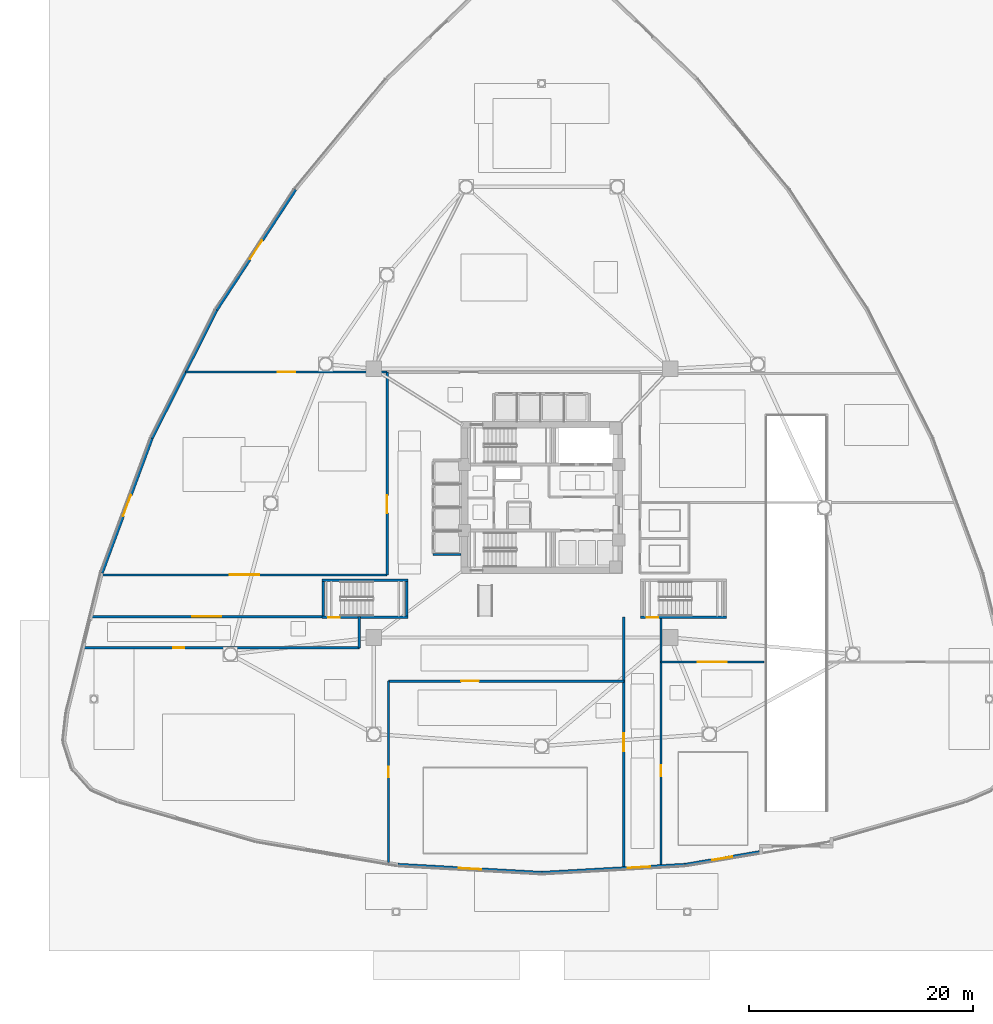
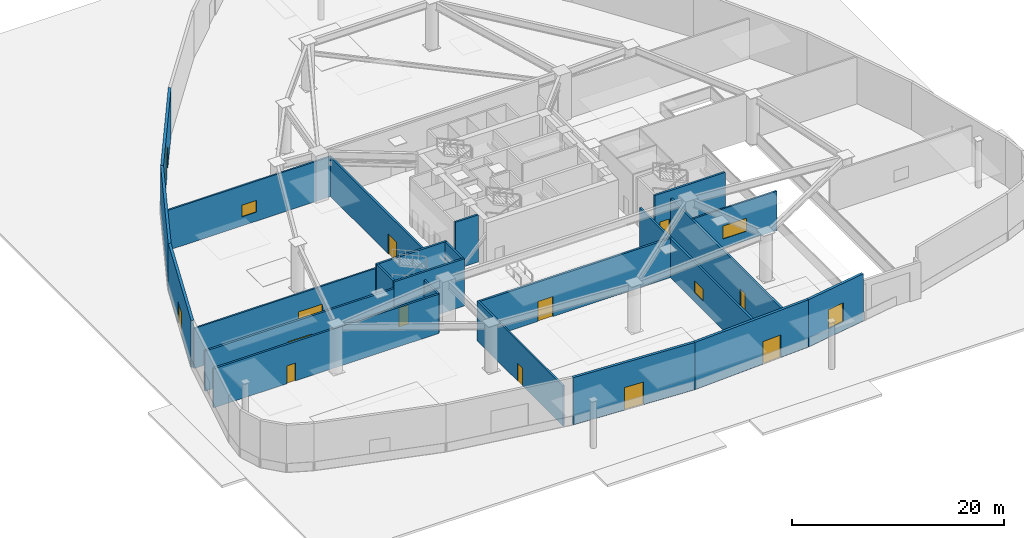
# One storey, part 5 of 13: 23 walls, 11 doors, 6 windows, 17 openings.
"""IFC4 building model written with IfcOpenShell, lengths in metres."""

from ifc_helpers import new_model, si_unit, direction, frame, frame_2d, origin, place, context, subcontext, project, spatial, rectangle, extrude, material, layer, layer_set, type_object, element, fill, save


model = new_model("IFC4")

# Units and contexts
model_context = context("Model", 3, precision=1e-05, world=origin(), true_north=direction((0.0, 1.0)))
body_context = subcontext(model_context, "Body", "Model", "MODEL_VIEW")
ifc_project = project(units=[si_unit("LENGTHUNIT", "METRE"), si_unit("AREAUNIT", "SQUARE_METRE"), si_unit("VOLUMEUNIT", "CUBIC_METRE"), si_unit("PLANEANGLEUNIT", "RADIAN"), si_unit("MASSUNIT", "GRAM", prefix="KILO")], contexts=[model_context])

# Site, building, storey
site_placement = place(None, origin())
site = spatial("IfcSite", under=ifc_project, at=site_placement, CompositionType="ELEMENT")
building_placement = place(site_placement, origin())
building = spatial("IfcBuilding", under=site, at=building_placement, Name="Tavelor Broadcast Tower", CompositionType="ELEMENT")
storey_placement = place(building_placement, origin())
storey = spatial("IfcBuildingStorey", under=building, at=storey_placement, Name="L00", CompositionType="ELEMENT", Elevation=0.0)

# Wall, opening, door
ifc_material_1 = material(Name="Calcium Silicate Fire Board 180 mm", Category="gypsum")
ifc_layer_1 = layer(ifc_material_1, 0.179931640625)
ifc_layer_set_1 = layer_set([ifc_layer_1], Name="Calcium Silicate Fire Board 180 mm")
wall_type_1 = type_object("IfcWallType", Name="Fire-Rated Corridor Partition Wall 180 mm", PredefinedType="PARTITIONING", material=ifc_layer_set_1)
wall_1_placement = place(storey_placement, frame((36.300048828125, 12.38720703125, 0.0), z_axis=(0.0, 0.0, 1.0), x_axis=(0.0, 1.0, 0.0)))
wall_1 = element("IfcWall", 1, at=wall_1_placement, inside=storey, type_object=wall_type_1, Name="L00 South-West Wing Wall", PredefinedType="PARTITIONING", context=body_context, shape_type="SweptSolid", body=[
    extrude(rectangle(XDim=16.212890625, YDim=0.179931640625, at=frame_2d((8.1064453125, 0.0))), origin(), (0.0, 0.0, 1.0), 4.625),
])
opening_1_placement = place(wall_1_placement, frame((7.610107421875, 0.0, 0.0)))
opening_1 = element("IfcOpeningElement", 2, at=opening_1_placement, cuts=wall_1, Name="Opening DR18", PredefinedType="OPENING", context=body_context, shape_type="SweptSolid", body=[
    extrude(rectangle(XDim=0.949951171875, YDim=2.050048828125, at=frame_2d((0.47509765625, 1.02490234375))), frame((0.0, 0.10009765625, 0.0), z_axis=(0.0, -1.0, 0.0), x_axis=(1.0, 0.0, 0.0)), (0.0, 0.0, 1.0), 0.199951171875),
])
ifc_material_2 = material(Name="Timber Solid Core Hardwood", Category="wood")
door_type_1 = type_object("IfcDoorType", Name="Corridor Rated Compartment Door 950x2050", OperationType="NOTDEFINED", PredefinedType="DOOR", material=ifc_material_2)
door_1_placement = place(opening_1_placement, origin())
door_1 = element("IfcDoor", 3, at=door_1_placement, inside=storey, type_object=door_type_1, Name="L00 Broadcast Dispatch Office Door", OperationType="SINGLE_SWING_LEFT", OverallHeight=2.050048828125, OverallWidth=0.949951171875, PredefinedType="DOOR", context=body_context, shape_type="SweptSolid", body=[
    extrude(rectangle(XDim=0.949951171875, YDim=2.050048828125, at=frame_2d((0.47509765625, 1.02490234375))), frame((0.0, 0.02490234375, 0.0), z_axis=(0.0, -1.0, 0.0), x_axis=(1.0, 0.0, 0.0)), (0.0, 0.0, 1.0), 0.050048828125),
])
fill(opening_1, door_1)

# Wall, opening, window
wall_2_placement = place(storey_placement, frame((60.659912109375, 30.300048828125, 0.0), z_axis=(0.0, 0.0, 1.0), x_axis=(1.0, 0.0, 0.0)))
wall_2 = element("IfcWall", 4, at=wall_2_placement, inside=storey, type_object=wall_type_1, Name="L00 South-East Wing North Wall", PredefinedType="PARTITIONING", context=body_context, shape_type="SweptSolid", body=[
    extrude(rectangle(XDim=9.190185546875, YDim=0.179931640625, at=frame_2d((4.59521484375, 0.0))), origin(), (0.0, 0.0, 1.0), 4.52490234375),
])
opening_2_placement = place(wall_2_placement, frame((3.294921875, 0.0, 1.050048828125)))
opening_2 = element("IfcOpeningElement", 5, at=opening_2_placement, cuts=wall_2, Name="Opening WN04", PredefinedType="OPENING", context=body_context, shape_type="SweptSolid", body=[
    extrude(rectangle(XDim=2.60009765625, YDim=1.5, at=frame_2d((1.300048828125, 0.75))), frame((0.0, 0.10009765625, 0.0), z_axis=(0.0, -1.0, 0.0), x_axis=(1.0, 0.0, 0.0)), (0.0, 0.0, 1.0), 0.199951171875),
])
ifc_material_3 = material(Name="Acoustic Double Glazing 28 mm", Category="glass")
window_type_1 = type_object("IfcWindowType", Name="Studio Control Gallery Triple-Glazed Observation Window 2600x1500", PartitioningType="SINGLE_PANEL", PredefinedType="WINDOW", material=ifc_material_3)
window_1_placement = place(opening_2_placement, origin())
window_1 = element("IfcWindow", 6, at=window_1_placement, inside=storey, type_object=window_type_1, Name="L00 Studio Acoustic Observation Window 003", OverallHeight=1.5, OverallWidth=2.60009765625, PartitioningType="SINGLE_PANEL", PredefinedType="WINDOW", context=body_context, shape_type="SweptSolid", body=[
    extrude(rectangle(XDim=2.60009765625, YDim=1.5, at=frame_2d((1.300048828125, 0.75))), frame((0.0, 0.030029296875, 0.0), z_axis=(0.0, -1.0, 0.0), x_axis=(1.0, 0.0, 0.0)), (0.0, 0.0, 1.0), 0.06005859375),
])
fill(opening_2, window_1)

wall_3_placement = place(storey_placement, frame((10.718017578125, 38.10009765625, 0.0), z_axis=(0.0, 0.0, 1.0), x_axis=(1.0, 0.0, 0.0)))
wall_3 = element("IfcWall", 7, at=wall_3_placement, inside=storey, type_object=wall_type_1, Name="L00 West Hall South Wall", PredefinedType="PARTITIONING", context=body_context, shape_type="SweptSolid", body=[
    extrude(rectangle(XDim=25.48193359375, YDim=0.179931640625, at=frame_2d((12.740966796875, 0.0))), origin(), (0.0, 0.0, 1.0), 4.625),
])
opening_3_placement = place(wall_3_placement, frame((11.44091796875, 0.0, 1.050048828125)))
opening_3 = element("IfcOpeningElement", 8, at=opening_3_placement, cuts=wall_3, Name="Opening WN04", PredefinedType="OPENING", context=body_context, shape_type="SweptSolid", body=[
    extrude(rectangle(XDim=2.60009765625, YDim=1.5, at=frame_2d((1.300048828125, 0.75))), frame((0.0, 0.10009765625, 0.0), z_axis=(0.0, -1.0, 0.0), x_axis=(1.0, 0.0, 0.0)), (0.0, 0.0, 1.0), 0.199951171875),
])
window_2_placement = place(opening_3_placement, origin())
window_2 = element("IfcWindow", 9, at=window_2_placement, inside=storey, type_object=window_type_1, Name="L00 Studio Acoustic Observation Window 005", OverallHeight=1.5, OverallWidth=2.60009765625, PartitioningType="SINGLE_PANEL", PredefinedType="WINDOW", context=body_context, shape_type="SweptSolid", body=[
    extrude(rectangle(XDim=2.60009765625, YDim=1.5, at=frame_2d((1.300048828125, 0.75))), frame((0.0, 0.030029296875, 0.0), z_axis=(0.0, -1.0, 0.0), x_axis=(1.0, 0.0, 0.0)), (0.0, 0.0, 1.0), 0.06005859375),
])
fill(opening_3, window_2)

wall_4_placement = place(storey_placement, frame((18.205322265625, 56.199951171875, 0.0), z_axis=(0.0, 0.0, 1.0), x_axis=(1.0, 0.0, 0.0)))
wall_4 = element("IfcWall", 10, at=wall_4_placement, inside=storey, type_object=wall_type_1, Name="L00 West Hall North Wall", PredefinedType="PARTITIONING", context=body_context, shape_type="SweptSolid", body=[
    extrude(rectangle(XDim=17.99462890625, YDim=0.179931640625, at=frame_2d((8.997314453125, 0.0))), origin(), (0.0, 0.0, 1.0), 4.625),
])
opening_4_placement = place(wall_4_placement, frame((8.197509765625, 0.0, 1.050048828125)))
opening_4 = element("IfcOpeningElement", 11, at=opening_4_placement, cuts=wall_4, Name="Opening WN05", PredefinedType="OPENING", context=body_context, shape_type="SweptSolid", body=[
    extrude(rectangle(XDim=1.60009765625, YDim=1.35009765625, at=frame_2d((0.800048828125, 0.675048828125))), frame((0.0, 0.10009765625, 0.0), z_axis=(0.0, -1.0, 0.0), x_axis=(1.0, 0.0, 0.0)), (0.0, 0.0, 1.0), 0.199951171875),
])
window_type_2 = type_object("IfcWindowType", Name="Audio Booth Acoustic Observation Window 1600x1350", PartitioningType="SINGLE_PANEL", PredefinedType="WINDOW", material=ifc_material_3)
window_3_placement = place(opening_4_placement, origin())
window_3 = element("IfcWindow", 12, at=window_3_placement, inside=storey, type_object=window_type_2, Name="L00 Studio Acoustic Observation Window 006", OverallHeight=1.35009765625, OverallWidth=1.60009765625, PartitioningType="SINGLE_PANEL", PredefinedType="WINDOW", context=body_context, shape_type="SweptSolid", body=[
    extrude(rectangle(XDim=1.60009765625, YDim=1.35009765625, at=frame_2d((0.800048828125, 0.675048828125))), frame((0.0, 0.030029296875, 0.0), z_axis=(0.0, -1.0, 0.0), x_axis=(1.0, 0.0, 0.0)), (0.0, 0.0, 1.0), 0.06005859375),
])
fill(opening_4, window_3)

# Wall, opening, door
ifc_material_4 = material(Name="Precast Concrete C40/50", Category="concrete")
ifc_layer_2 = layer(ifc_material_4, 0.280029296875)
ifc_layer_set_2 = layer_set([ifc_layer_2], Name="Precast Concrete C40/50")
wall_type_2 = type_object("IfcWallType", Name="Insulated Precast Terracotta Facade Wall 280 mm", PredefinedType="STANDARD", material=ifc_layer_set_2)
wall_5_placement = place(storey_placement, frame((28.009033203125, 72.515380859375, 0.0), z_axis=(0.0, 0.0, 1.0), x_axis=(-0.547781357046, -0.836621530247, 0.0)))
wall_5 = element("IfcWall", 13, at=wall_5_placement, inside=storey, type_object=wall_type_2, Name="L00 Precast Terracotta Facade Wall 07", PredefinedType="STANDARD", context=body_context, shape_type="SweptSolid", body=[
    extrude(rectangle(XDim=12.868896484375, YDim=0.280029296875, at=frame_2d((6.4345703125, 0.0))), origin(), (0.0, 0.0, 1.0), 5.449951171875),
])
opening_5_placement = place(wall_5_placement, frame((5.434326171875, 0.0, 0.0)))
opening_5 = element("IfcOpeningElement", 14, at=opening_5_placement, cuts=wall_5, Name="Opening DR47", PredefinedType="OPENING", context=body_context, shape_type="SweptSolid", body=[
    extrude(rectangle(XDim=2.0, YDim=2.60009765625, at=frame_2d((1.0, 1.300048828125))), frame((0.0, 0.14990234375, 0.0), z_axis=(0.0, -1.0, 0.0), x_axis=(1.0, 0.0, 0.0)), (0.0, 0.0, 1.0), 0.300048828125),
])
ifc_material_5 = material(Name="Architectural Anodized Aluminium", Category="aluminium")
door_type_2 = type_object("IfcDoorType", Name="Main Plaza Entrance Double Exit Door 2000x2600", OperationType="NOTDEFINED", PredefinedType="DOOR", material=ifc_material_5)
door_2_placement = place(opening_5_placement, frame((2.0, 0.0, 0.0), z_axis=(0.0, 0.0, 1.0), x_axis=(-1.0, 0.0, 0.0)))
door_2 = element("IfcDoor", 15, at=door_2_placement, inside=storey, type_object=door_type_2, Name="L00 Main Plaza Final Exit Double Door 07", OperationType="DOUBLE_DOOR_SINGLE_SWING", OverallHeight=2.60009765625, OverallWidth=2.0, PredefinedType="DOOR", context=body_context, shape_type="SweptSolid", body=[
    extrude(rectangle(XDim=2.0, YDim=2.60009765625, at=frame_2d((1.0, 1.300048828125))), frame((0.0, 0.02490234375, 0.0), z_axis=(0.0, -1.0, 0.0), x_axis=(1.0, 0.0, 0.0)), (0.0, 0.0, 1.0), 0.050048828125),
])
fill(opening_5, door_2)

# Wall
wall_6_placement = place(storey_placement, frame((20.974609375, 61.775146484375, 0.0), z_axis=(0.0, 0.0, 1.0), x_axis=(-0.450617681831, -0.892717035136, 0.0)))
element("IfcWall", 16, at=wall_6_placement, inside=storey, type_object=wall_type_2, Name="L00 Precast Terracotta Facade Wall 08", PredefinedType="STANDARD", context=body_context, shape_type="SweptSolid", body=[
    extrude(rectangle(XDim=12.86865234375, YDim=0.280029296875, at=frame_2d((6.434326171875, 0.0))), origin(), (0.0, 0.0, 1.0), 5.449951171875),
])

# Wall, opening, door
wall_7_placement = place(storey_placement, frame((15.1875, 50.314453125, 0.0), z_axis=(0.0, 0.0, 1.0), x_axis=(-0.347769703633, -0.937579987646, 0.0)))
wall_7 = element("IfcWall", 17, at=wall_7_placement, inside=storey, type_object=wall_type_2, Name="L00 Precast Terracotta Facade Wall 09", PredefinedType="STANDARD", context=body_context, shape_type="SweptSolid", body=[
    extrude(rectangle(XDim=12.86865234375, YDim=0.280029296875, at=frame_2d((6.434326171875, 0.0))), origin(), (0.0, 0.0, 1.0), 5.449951171875),
])
opening_6_placement = place(wall_7_placement, frame((5.434326171875, 0.0, 0.0)))
opening_6 = element("IfcOpeningElement", 18, at=opening_6_placement, cuts=wall_7, Name="Opening DR47", PredefinedType="OPENING", context=body_context, shape_type="SweptSolid", body=[
    extrude(rectangle(XDim=2.0, YDim=2.60009765625, at=frame_2d((1.0, 1.300048828125))), frame((0.0, 0.14990234375, 0.0), z_axis=(0.0, -1.0, 0.0), x_axis=(1.0, 0.0, 0.0)), (0.0, 0.0, 1.0), 0.300048828125),
])
door_3_placement = place(opening_6_placement, frame((2.0, 0.0, 0.0), z_axis=(0.0, 0.0, 1.0), x_axis=(-1.0, 0.0, 0.0)))
door_3 = element("IfcDoor", 19, at=door_3_placement, inside=storey, type_object=door_type_2, Name="L00 Main Plaza Final Exit Double Door 09", OperationType="DOUBLE_DOOR_SINGLE_SWING", OverallHeight=2.60009765625, OverallWidth=2.0, PredefinedType="DOOR", context=body_context, shape_type="SweptSolid", body=[
    extrude(rectangle(XDim=2.0, YDim=2.60009765625, at=frame_2d((1.0, 1.300048828125))), frame((0.0, 0.02490234375, 0.0), z_axis=(0.0, -1.0, 0.0), x_axis=(1.0, 0.0, 0.0)), (0.0, 0.0, 1.0), 0.050048828125),
])
fill(opening_6, door_3)

wall_8_placement = place(storey_placement, frame((37.16650390625, 12.19775390625, 0.0), z_axis=(0.0, 0.0, 1.0), x_axis=(0.998425188475, -0.056099403012, 0.0)))
wall_8 = element("IfcWall", 20, at=wall_8_placement, inside=storey, type_object=wall_type_2, Name="L00 Precast Terracotta Facade Wall 17", PredefinedType="STANDARD", context=body_context, shape_type="SweptSolid", body=[
    extrude(rectangle(XDim=12.86865234375, YDim=0.280029296875, at=frame_2d((6.434326171875, 0.0))), origin(), (0.0, 0.0, 1.0), 5.449951171875),
])
opening_7_placement = place(wall_8_placement, frame((5.434326171875, 0.0, 0.0)))
opening_7 = element("IfcOpeningElement", 21, at=opening_7_placement, cuts=wall_8, Name="Opening DR47", PredefinedType="OPENING", context=body_context, shape_type="SweptSolid", body=[
    extrude(rectangle(XDim=2.0, YDim=2.60009765625, at=frame_2d((1.0, 1.300048828125))), frame((0.0, 0.14990234375, 0.0), z_axis=(0.0, -1.0, 0.0), x_axis=(1.0, 0.0, 0.0)), (0.0, 0.0, 1.0), 0.300048828125),
])
door_4_placement = place(opening_7_placement, frame((2.0, 0.0, 0.0), z_axis=(0.0, 0.0, 1.0), x_axis=(-1.0, 0.0, 0.0)))
door_4 = element("IfcDoor", 22, at=door_4_placement, inside=storey, type_object=door_type_2, Name="L00 Main Plaza Final Exit Double Door 17", OperationType="DOUBLE_DOOR_SINGLE_SWING", OverallHeight=2.60009765625, OverallWidth=2.0, PredefinedType="DOOR", context=body_context, shape_type="SweptSolid", body=[
    extrude(rectangle(XDim=2.0, YDim=2.60009765625, at=frame_2d((1.0, 1.300048828125))), frame((0.0, 0.02490234375, 0.0), z_axis=(0.0, -1.0, 0.0), x_axis=(1.0, 0.0, 0.0)), (0.0, 0.0, 1.0), 0.050048828125),
])
fill(opening_7, door_4)

wall_9_placement = place(storey_placement, frame((49.985107421875, 11.475830078125, 0.0), z_axis=(0.0, 0.0, 1.0), x_axis=(0.998425188475, 0.056099403012, 0.0)))
wall_9 = element("IfcWall", 23, at=wall_9_placement, inside=storey, type_object=wall_type_2, Name="L00 Precast Terracotta Facade Wall 18", PredefinedType="STANDARD", context=body_context, shape_type="SweptSolid", body=[
    extrude(rectangle(XDim=12.86865234375, YDim=0.280029296875, at=frame_2d((6.434326171875, 0.0))), origin(), (0.0, 0.0, 1.0), 5.449951171875),
])
opening_8_placement = place(wall_9_placement, frame((7.727294921875, 0.0, 0.0)))
opening_8 = element("IfcOpeningElement", 24, at=opening_8_placement, cuts=wall_9, Name="Opening DR47", PredefinedType="OPENING", context=body_context, shape_type="SweptSolid", body=[
    extrude(rectangle(XDim=2.0, YDim=2.60009765625, at=frame_2d((1.0, 1.300048828125))), frame((0.0, 0.14990234375, 0.0), z_axis=(0.0, -1.0, 0.0), x_axis=(1.0, 0.0, 0.0)), (0.0, 0.0, 1.0), 0.300048828125),
])
door_5_placement = place(opening_8_placement, frame((2.0, 0.0, 0.0), z_axis=(0.0, 0.0, 1.0), x_axis=(-1.0, 0.0, 0.0)))
door_5 = element("IfcDoor", 25, at=door_5_placement, inside=storey, type_object=door_type_2, Name="L00 Stair ST4 Protected Exit Discharge Door 18", OperationType="DOUBLE_DOOR_SINGLE_SWING", OverallHeight=2.60009765625, OverallWidth=2.0, PredefinedType="DOOR", context=body_context, shape_type="SweptSolid", body=[
    extrude(rectangle(XDim=2.0, YDim=2.60009765625, at=frame_2d((1.0, 1.300048828125))), frame((0.0, 0.02490234375, 0.0), z_axis=(0.0, -1.0, 0.0), x_axis=(1.0, 0.0, 0.0)), (0.0, 0.0, 1.0), 0.050048828125),
])
fill(opening_8, door_5)

# Wall, opening, window
wall_10_placement = place(storey_placement, frame((62.8037109375, 12.1943359375, 0.0), z_axis=(0.0, 0.0, 1.0), x_axis=(0.985856984176, 0.167588802581, 0.0)))
wall_10 = element("IfcWall", 26, at=wall_10_placement, inside=storey, type_object=wall_type_2, Name="L00 Precast Terracotta Facade Wall 19", PredefinedType="STANDARD", context=body_context, shape_type="SweptSolid", body=[
    extrude(rectangle(XDim=6.737548828125, YDim=0.280029296875, at=frame_2d((3.36865234375, 0.0))), origin(), (0.0, 0.0, 1.0), 5.449951171875),
])
opening_9_placement = place(wall_10_placement, frame((2.46875, 0.0, 1.0)))
opening_9 = element("IfcOpeningElement", 27, at=opening_9_placement, cuts=wall_10, Name="Opening WN11", PredefinedType="OPENING", context=body_context, shape_type="SweptSolid", body=[
    extrude(rectangle(XDim=1.800048828125, YDim=2.199951171875, at=frame_2d((0.89990234375, 1.10009765625))), frame((0.0, 0.14990234375, 0.0), z_axis=(0.0, -1.0, 0.0), x_axis=(1.0, 0.0, 0.0)), (0.0, 0.0, 1.0), 0.300048828125),
])
window_type_3 = type_object("IfcWindowType", Name="Podium Studio Acoustic Punched Window 1800x2200", PartitioningType="SINGLE_PANEL", PredefinedType="WINDOW", material=ifc_material_3)
window_4_placement = place(opening_9_placement, origin())
window_4 = element("IfcWindow", 28, at=window_4_placement, inside=storey, type_object=window_type_3, Name="L00 Broadcast Facade Window 19", OverallHeight=2.199951171875, OverallWidth=1.800048828125, PartitioningType="SINGLE_PANEL", PredefinedType="WINDOW", context=body_context, shape_type="SweptSolid", body=[
    extrude(rectangle(XDim=1.800048828125, YDim=2.199951171875, at=frame_2d((0.89990234375, 1.10009765625))), frame((0.0, 0.030029296875, 0.0), z_axis=(0.0, -1.0, 0.0), x_axis=(1.0, 0.0, 0.0)), (0.0, 0.0, 1.0), 0.06005859375),
])
fill(opening_9, window_4)

# Wall
ifc_material_6 = material(Name="Concrete Blockwork 200 mm", Category="masonry")
ifc_layer_3 = layer(ifc_material_6, 0.199951171875)
ifc_layer_set_3 = layer_set([ifc_layer_3], Name="Concrete Blockwork 200 mm")
wall_type_3 = type_object("IfcWallType", Name="Lift and Riser Shaft Enclosure Wall 200 mm", PredefinedType="PARTITIONING", material=ifc_layer_set_3)
wall_11_placement = place(storey_placement, frame((40.300048828125, 39.89990234375, 0.0), z_axis=(0.0, 0.0, 1.0), x_axis=(1.0, 0.0, 0.0)))
element("IfcWall", 29, at=wall_11_placement, inside=storey, type_object=wall_type_3, Name="L00 Low-Rise Lift Shaft South Wall", PredefinedType="PARTITIONING", context=body_context, shape_type="SweptSolid", body=[
    extrude(rectangle(XDim=2.5, YDim=0.199951171875, at=frame_2d((1.25, 0.0))), origin(), (0.0, 0.0, 1.0), 5.449951171875),
])

# Wall, opening, door
ifc_material_7 = material(Name="Concrete C40/50", Category="concrete")
ifc_layer_4 = layer(ifc_material_7, 0.219970703125)
ifc_layer_set_4 = layer_set([ifc_layer_4], Name="Concrete C40/50")
wall_type_4 = type_object("IfcWallType", Name="Structural Stairwell Shear Wall 220 mm", PredefinedType="SHEAR", material=ifc_layer_set_4)
wall_12_placement = place(storey_placement, frame((30.3798828125, 34.2900390625, 0.0), z_axis=(0.0, 0.0, 1.0), x_axis=(1.0, 0.0, 0.0)))
wall_12 = element("IfcWall", 30, at=wall_12_placement, inside=storey, type_object=wall_type_4, Name="L00 Stair ST3 Structural Shaft Wall S", PredefinedType="SHEAR", context=body_context, shape_type="SweptSolid", body=[
    extrude(rectangle(XDim=7.690185546875, YDim=0.219970703125, at=frame_2d((3.84521484375, 0.0))), origin(), (0.0, 0.0, 1.0), 5.449951171875),
])
opening_10_placement = place(wall_12_placement, frame((0.550048828125, 0.0, 0.0)))
opening_10 = element("IfcOpeningElement", 31, at=opening_10_placement, cuts=wall_12, Name="Opening DR11", PredefinedType="OPENING", context=body_context, shape_type="SweptSolid", body=[
    extrude(rectangle(XDim=1.050048828125, YDim=2.199951171875, at=frame_2d((0.52490234375, 1.10009765625))), frame((0.0, 0.1201171875, 0.0), z_axis=(0.0, -1.0, 0.0), x_axis=(1.0, 0.0, 0.0)), (0.0, 0.0, 1.0), 0.239990234375),
])
ifc_material_8 = material(Name="Steel S355", Category="steel")
door_type_3 = type_object("IfcDoorType", Name="Stair Core Fire Escape Door 1050x2200", OperationType="NOTDEFINED", PredefinedType="DOOR", material=ifc_material_8)
door_6_placement = place(opening_10_placement, origin())
door_6 = element("IfcDoor", 32, at=door_6_placement, inside=storey, type_object=door_type_3, Name="L00 Stair ST3 Protected Fire Door", OperationType="SINGLE_SWING_RIGHT", OverallHeight=2.199951171875, OverallWidth=1.050048828125, PredefinedType="DOOR", context=body_context, shape_type="SweptSolid", body=[
    extrude(rectangle(XDim=1.050048828125, YDim=2.199951171875, at=frame_2d((0.52490234375, 1.10009765625))), frame((0.0, 0.02490234375, 0.0), z_axis=(0.0, -1.0, 0.0), x_axis=(1.0, 0.0, 0.0)), (0.0, 0.0, 1.0), 0.050048828125),
])
fill(opening_10, door_6)

# Walls
wall_13_placement = place(storey_placement, frame((30.3798828125, 37.610107421875, 0.0), z_axis=(0.0, 0.0, 1.0), x_axis=(1.0, 0.0, 0.0)))
element("IfcWall", 33, at=wall_13_placement, inside=storey, type_object=wall_type_4, Name="L00 Stair ST3 Structural Shaft Wall N", PredefinedType="SHEAR", context=body_context, shape_type="SweptSolid", body=[
    extrude(rectangle(XDim=7.690185546875, YDim=0.219970703125, at=frame_2d((3.84521484375, 0.0))), origin(), (0.0, 0.0, 1.0), 5.449951171875),
])
for number, where, z_axis, x_axis, name in (
    (34, (37.9599609375, 34.39990234375, 0.0), (0.0, 0.0, 1.0), (0.0, 1.0, 0.0), "L00 Stair ST3 Structural Shaft Wall E"),
    (35, (30.489990234375, 34.39990234375, 0.0), (0.0, 0.0, 1.0), (0.0, 1.0, 0.0), "L00 Stair ST3 Structural Shaft Wall W"),
):
    element("IfcWall", number, at=place(storey_placement, frame(where, z_axis=z_axis, x_axis=x_axis)), inside=storey, type_object=wall_type_4, Name=name, PredefinedType="SHEAR", context=body_context, shape_type="SweptSolid", body=[
        extrude(rectangle(XDim=3.10009765625, YDim=0.219970703125, at=frame_2d((1.550048828125, 0.0))), origin(), (0.0, 0.0, 1.0), 5.449951171875),
    ])

# Wall, opening, door
wall_14_placement = place(storey_placement, frame((58.830078125, 34.2900390625, 0.0), z_axis=(0.0, 0.0, 1.0), x_axis=(1.0, 0.0, 0.0)))
wall_14 = element("IfcWall", 36, at=wall_14_placement, inside=storey, type_object=wall_type_4, Name="L00 Stair ST4 Structural Shaft Wall S", PredefinedType="SHEAR", context=body_context, shape_type="SweptSolid", body=[
    extrude(rectangle(XDim=7.68994140625, YDim=0.219970703125, at=frame_2d((3.844970703125, 0.0))), origin(), (0.0, 0.0, 1.0), 5.449951171875),
])
opening_11_placement = place(wall_14_placement, frame((0.550048828125, 0.0, 0.0)))
opening_11 = element("IfcOpeningElement", 37, at=opening_11_placement, cuts=wall_14, Name="Opening DR11", PredefinedType="OPENING", context=body_context, shape_type="SweptSolid", body=[
    extrude(rectangle(XDim=1.050048828125, YDim=2.199951171875, at=frame_2d((0.52490234375, 1.10009765625))), frame((0.0, 0.1201171875, 0.0), z_axis=(0.0, -1.0, 0.0), x_axis=(1.0, 0.0, 0.0)), (0.0, 0.0, 1.0), 0.239990234375),
])
door_7_placement = place(opening_11_placement, origin())
door_7 = element("IfcDoor", 38, at=door_7_placement, inside=storey, type_object=door_type_3, Name="L00 Stair ST4 Protected Fire Door", OperationType="SINGLE_SWING_RIGHT", OverallHeight=2.199951171875, OverallWidth=1.050048828125, PredefinedType="DOOR", context=body_context, shape_type="SweptSolid", body=[
    extrude(rectangle(XDim=1.050048828125, YDim=2.199951171875, at=frame_2d((0.52490234375, 1.10009765625))), frame((0.0, 0.02490234375, 0.0), z_axis=(0.0, -1.0, 0.0), x_axis=(1.0, 0.0, 0.0)), (0.0, 0.0, 1.0), 0.050048828125),
])
fill(opening_11, door_7)

ifc_material_9 = material(Name="Masonry Blockwork 220 mm", Category="masonry")
ifc_layer_5 = layer(ifc_material_9, 0.219970703125)
ifc_layer_set_5 = layer_set([ifc_layer_5], Name="Masonry Blockwork 220 mm")
wall_type_5 = type_object("IfcWallType", Name="Studio Double-Leaf Acoustic Isolation Wall 220 mm", PredefinedType="PARTITIONING", material=ifc_layer_set_5)
wall_15_placement = place(storey_placement, frame((9.10205078125, 31.580078125, 0.0), z_axis=(0.0, 0.0, 1.0), x_axis=(1.0, 0.0, 0.0)))
wall_15 = element("IfcWall", 39, at=wall_15_placement, inside=storey, type_object=wall_type_5, Name="L00 ST3 Exit Passageway South EI120 Wall", PredefinedType="PARTITIONING", context=body_context, shape_type="SweptSolid", body=[
    extrude(rectangle(XDim=24.617919921875, YDim=0.219970703125, at=frame_2d((12.30908203125, 0.0))), origin(), (0.0, 0.0, 1.0), 4.52490234375),
])
opening_12_placement = place(wall_15_placement, frame((8.0, 0.0, 0.0)))
opening_12 = element("IfcOpeningElement", 40, at=opening_12_placement, cuts=wall_15, Name="Opening DR18", PredefinedType="OPENING", context=body_context, shape_type="SweptSolid", body=[
    extrude(rectangle(XDim=0.949951171875, YDim=2.050048828125, at=frame_2d((0.47509765625, 1.02490234375))), frame((0.0, 0.1201171875, 0.0), z_axis=(0.0, -1.0, 0.0), x_axis=(1.0, 0.0, 0.0)), (0.0, 0.0, 1.0), 0.239990234375),
])
door_8_placement = place(opening_12_placement, origin())
door_8 = element("IfcDoor", 41, at=door_8_placement, inside=storey, type_object=door_type_1, Name="L00 Dispatch Office Exit Passage Door", OperationType="SINGLE_SWING_LEFT", OverallHeight=2.050048828125, OverallWidth=0.949951171875, PredefinedType="DOOR", context=body_context, shape_type="SweptSolid", body=[
    extrude(rectangle(XDim=0.949951171875, YDim=2.050048828125, at=frame_2d((0.47509765625, 1.02490234375))), frame((0.0, 0.02490234375, 0.0), z_axis=(0.0, -1.0, 0.0), x_axis=(1.0, 0.0, 0.0)), (0.0, 0.0, 1.0), 0.050048828125),
])
fill(opening_12, door_8)

# Wall, opening, window
wall_16_placement = place(storey_placement, frame((9.791015625, 34.360107421875, 0.0), z_axis=(0.0, 0.0, 1.0), x_axis=(1.0, 0.0, 0.0)))
wall_16 = element("IfcWall", 42, at=wall_16_placement, inside=storey, type_object=wall_type_5, Name="L00 ST3 Exit Passageway North EI120 Wall", PredefinedType="PARTITIONING", context=body_context, shape_type="SweptSolid", body=[
    extrude(rectangle(XDim=20.5888671875, YDim=0.219970703125, at=frame_2d((10.29443359375, 0.0))), origin(), (0.0, 0.0, 1.0), 4.625),
])
opening_13_placement = place(wall_16_placement, frame((8.994384765625, 0.0, 1.050048828125)))
opening_13 = element("IfcOpeningElement", 43, at=opening_13_placement, cuts=wall_16, Name="Opening WN04", PredefinedType="OPENING", context=body_context, shape_type="SweptSolid", body=[
    extrude(rectangle(XDim=2.60009765625, YDim=1.5, at=frame_2d((1.300048828125, 0.75))), frame((0.0, 0.1201171875, 0.0), z_axis=(0.0, -1.0, 0.0), x_axis=(1.0, 0.0, 0.0)), (0.0, 0.0, 1.0), 0.239990234375),
])
window_5_placement = place(opening_13_placement, origin())
window_5 = element("IfcWindow", 44, at=window_5_placement, inside=storey, type_object=window_type_1, Name="L00 Studio Acoustic Observation Window 001", OverallHeight=1.5, OverallWidth=2.60009765625, PartitioningType="SINGLE_PANEL", PredefinedType="WINDOW", context=body_context, shape_type="SweptSolid", body=[
    extrude(rectangle(XDim=2.60009765625, YDim=1.5, at=frame_2d((1.300048828125, 0.75))), frame((0.0, 0.030029296875, 0.0), z_axis=(0.0, -1.0, 0.0), x_axis=(1.0, 0.0, 0.0)), (0.0, 0.0, 1.0), 0.06005859375),
])
fill(opening_13, window_5)

# Wall
wall_17_placement = place(storey_placement, frame((33.719970703125, 31.580078125, 0.0), z_axis=(0.0, 0.0, 1.0), x_axis=(0.0, 1.0, 0.0)))
element("IfcWall", 45, at=wall_17_placement, inside=storey, type_object=wall_type_5, Name="L00 ST3 Exit Passageway East EI120 Cutoff Wall", PredefinedType="PARTITIONING", context=body_context, shape_type="SweptSolid", body=[
    extrude(rectangle(XDim=2.780029296875, YDim=0.219970703125, at=frame_2d((1.39013671875, 0.0))), origin(), (0.0, 0.0, 1.0), 4.52490234375),
])

# Wall, opening, window
wall_18_placement = place(storey_placement, frame((57.340087890625, 11.92919921875, 0.0), z_axis=(0.0, 0.0, 1.0), x_axis=(0.0, 1.0, 0.0)))
wall_18 = element("IfcWall", 46, at=wall_18_placement, inside=storey, type_object=wall_type_5, Name="L00 ST4 Exit Passageway West EI120 Wall", PredefinedType="PARTITIONING", context=body_context, shape_type="SweptSolid", body=[
    extrude(rectangle(XDim=22.390869140625, YDim=0.219970703125, at=frame_2d((11.1953125, 0.0))), origin(), (0.0, 0.0, 1.0), 4.52490234375),
])
opening_14_placement = place(wall_18_placement, frame((10.3955078125, 0.0, 1.050048828125)))
opening_14 = element("IfcOpeningElement", 47, at=opening_14_placement, cuts=wall_18, Name="Opening WN05", PredefinedType="OPENING", context=body_context, shape_type="SweptSolid", body=[
    extrude(rectangle(XDim=1.60009765625, YDim=1.35009765625, at=frame_2d((0.800048828125, 0.675048828125))), frame((0.0, 0.1201171875, 0.0), z_axis=(0.0, -1.0, 0.0), x_axis=(1.0, 0.0, 0.0)), (0.0, 0.0, 1.0), 0.239990234375),
])
window_6_placement = place(opening_14_placement, origin())
window_6 = element("IfcWindow", 48, at=window_6_placement, inside=storey, type_object=window_type_2, Name="L00 Studio Acoustic Observation Window 002", OverallHeight=1.35009765625, OverallWidth=1.60009765625, PartitioningType="SINGLE_PANEL", PredefinedType="WINDOW", context=body_context, shape_type="SweptSolid", body=[
    extrude(rectangle(XDim=1.60009765625, YDim=1.35009765625, at=frame_2d((0.800048828125, 0.675048828125))), frame((0.0, 0.030029296875, 0.0), z_axis=(0.0, -1.0, 0.0), x_axis=(1.0, 0.0, 0.0)), (0.0, 0.0, 1.0), 0.06005859375),
])
fill(opening_14, window_6)

# Wall, opening, door
wall_19_placement = place(storey_placement, frame((60.659912109375, 12.115478515625, 0.0), z_axis=(0.0, 0.0, 1.0), x_axis=(0.0, 1.0, 0.0)))
wall_19 = element("IfcWall", 49, at=wall_19_placement, inside=storey, type_object=wall_type_5, Name="L00 ST4 Exit Passageway East EI120 Wall", PredefinedType="PARTITIONING", context=body_context, shape_type="SweptSolid", body=[
    extrude(rectangle(XDim=22.134521484375, YDim=0.219970703125, at=frame_2d((11.0673828125, 0.0))), origin(), (0.0, 0.0, 1.0), 4.52490234375),
])
opening_15_placement = place(wall_19_placement, frame((8.0, 0.0, 0.0)))
opening_15 = element("IfcOpeningElement", 50, at=opening_15_placement, cuts=wall_19, Name="Opening DR18", PredefinedType="OPENING", context=body_context, shape_type="SweptSolid", body=[
    extrude(rectangle(XDim=0.949951171875, YDim=2.050048828125, at=frame_2d((0.47509765625, 1.02490234375))), frame((0.0, 0.1201171875, 0.0), z_axis=(0.0, -1.0, 0.0), x_axis=(1.0, 0.0, 0.0)), (0.0, 0.0, 1.0), 0.239990234375),
])
door_9_placement = place(opening_15_placement, origin())
door_9 = element("IfcDoor", 51, at=door_9_placement, inside=storey, type_object=door_type_1, Name="L00 Security Office Exit Passage Door", OperationType="SINGLE_SWING_RIGHT", OverallHeight=2.050048828125, OverallWidth=0.949951171875, PredefinedType="DOOR", context=body_context, shape_type="SweptSolid", body=[
    extrude(rectangle(XDim=0.949951171875, YDim=2.050048828125, at=frame_2d((0.47509765625, 1.02490234375))), frame((0.0, 0.02490234375, 0.0), z_axis=(0.0, -1.0, 0.0), x_axis=(1.0, 0.0, 0.0)), (0.0, 0.0, 1.0), 0.050048828125),
])
fill(opening_15, door_9)

wall_20_placement = place(storey_placement, frame((36.300048828125, 28.60009765625, 0.0), z_axis=(0.0, 0.0, 1.0), x_axis=(1.0, 0.0, 0.0)))
wall_20 = element("IfcWall", 52, at=wall_20_placement, inside=storey, type_object=wall_type_5, Name="L00 South Studio Concourse Wall", PredefinedType="PARTITIONING", context=body_context, shape_type="SweptSolid", body=[
    extrude(rectangle(XDim=21.0400390625, YDim=0.219970703125, at=frame_2d((10.52001953125, 0.0))), origin(), (0.0, 0.0, 1.0), 4.52490234375),
])
opening_16_placement = place(wall_20_placement, frame((6.5, 0.0, 0.0)))
opening_16 = element("IfcOpeningElement", 53, at=opening_16_placement, cuts=wall_20, Name="Opening DR27", PredefinedType="OPENING", context=body_context, shape_type="SweptSolid", body=[
    extrude(rectangle(XDim=1.60009765625, YDim=2.300048828125, at=frame_2d((0.800048828125, 1.14990234375))), frame((0.0, 0.1201171875, 0.0), z_axis=(0.0, -1.0, 0.0), x_axis=(1.0, 0.0, 0.0)), (0.0, 0.0, 1.0), 0.239990234375),
])
ifc_material_10 = material(Name="Steel Acoustic Composite", Category="steel")
door_type_4 = type_object("IfcDoorType", Name="Studio Acoustic Sound-Lock Double Door 1600x2300", OperationType="NOTDEFINED", PredefinedType="DOOR", material=ifc_material_10)
door_10_placement = place(opening_16_placement, origin())
door_10 = element("IfcDoor", 54, at=door_10_placement, inside=storey, type_object=door_type_4, Name="L00 Broadcast Studio A Door", OperationType="SINGLE_SWING_RIGHT", OverallHeight=2.300048828125, OverallWidth=1.60009765625, PredefinedType="DOOR", context=body_context, shape_type="SweptSolid", body=[
    extrude(rectangle(XDim=1.60009765625, YDim=2.300048828125, at=frame_2d((0.800048828125, 1.14990234375))), frame((0.0, 0.02490234375, 0.0), z_axis=(0.0, -1.0, 0.0), x_axis=(1.0, 0.0, 0.0)), (0.0, 0.0, 1.0), 0.050048828125),
])
fill(opening_16, door_10)

wall_21_placement = place(storey_placement, frame((36.199951171875, 38.10009765625, 0.0), z_axis=(0.0, 0.0, 1.0), x_axis=(0.0, 1.0, 0.0)))
wall_21 = element("IfcWall", 55, at=wall_21_placement, inside=storey, type_object=wall_type_5, Name="L00 West Hall Concourse Wall", PredefinedType="PARTITIONING", context=body_context, shape_type="SweptSolid", body=[
    extrude(rectangle(XDim=18.099853515625, YDim=0.219970703125, at=frame_2d((9.0498046875, 0.0))), origin(), (0.0, 0.0, 1.0), 4.52490234375),
])
opening_17_placement = place(wall_21_placement, frame((5.5, 0.0, 0.0)))
opening_17 = element("IfcOpeningElement", 56, at=opening_17_placement, cuts=wall_21, Name="Opening DR27", PredefinedType="OPENING", context=body_context, shape_type="SweptSolid", body=[
    extrude(rectangle(XDim=1.60009765625, YDim=2.300048828125, at=frame_2d((0.800048828125, 1.14990234375))), frame((0.0, 0.1201171875, 0.0), z_axis=(0.0, -1.0, 0.0), x_axis=(1.0, 0.0, 0.0)), (0.0, 0.0, 1.0), 0.239990234375),
])
door_11_placement = place(opening_17_placement, origin())
door_11 = element("IfcDoor", 57, at=door_11_placement, inside=storey, type_object=door_type_4, Name="L00 Press Auditorium Door", OperationType="SINGLE_SWING_LEFT", OverallHeight=2.300048828125, OverallWidth=1.60009765625, PredefinedType="DOOR", context=body_context, shape_type="SweptSolid", body=[
    extrude(rectangle(XDim=1.60009765625, YDim=2.300048828125, at=frame_2d((0.800048828125, 1.14990234375))), frame((0.0, 0.02490234375, 0.0), z_axis=(0.0, -1.0, 0.0), x_axis=(1.0, 0.0, 0.0)), (0.0, 0.0, 1.0), 0.050048828125),
])
fill(opening_17, door_11)

save(model, "model.ifc")
